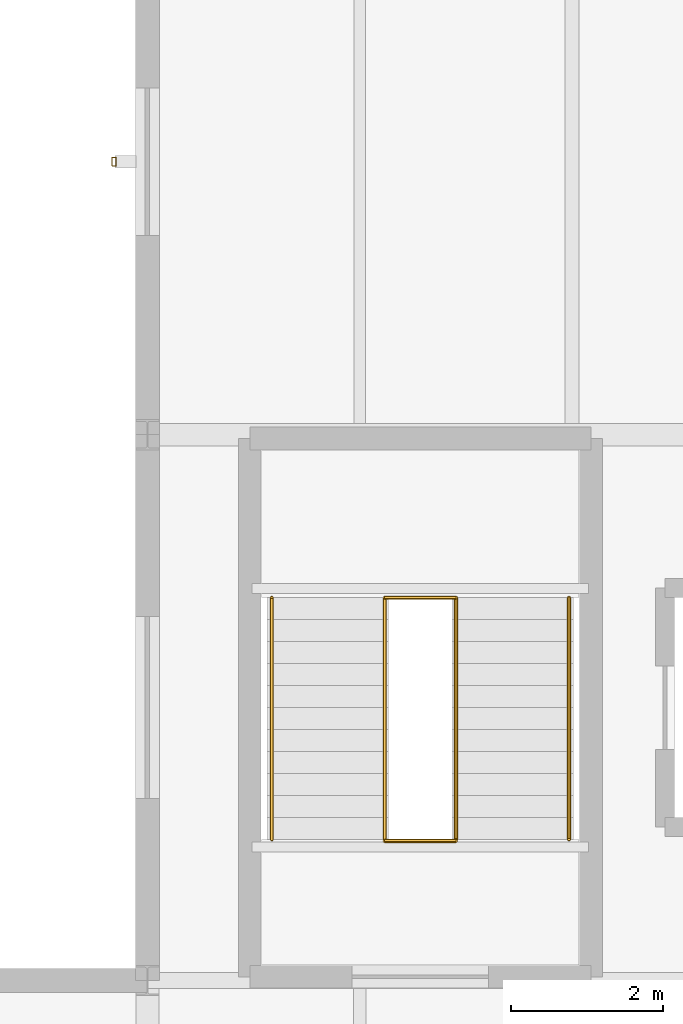
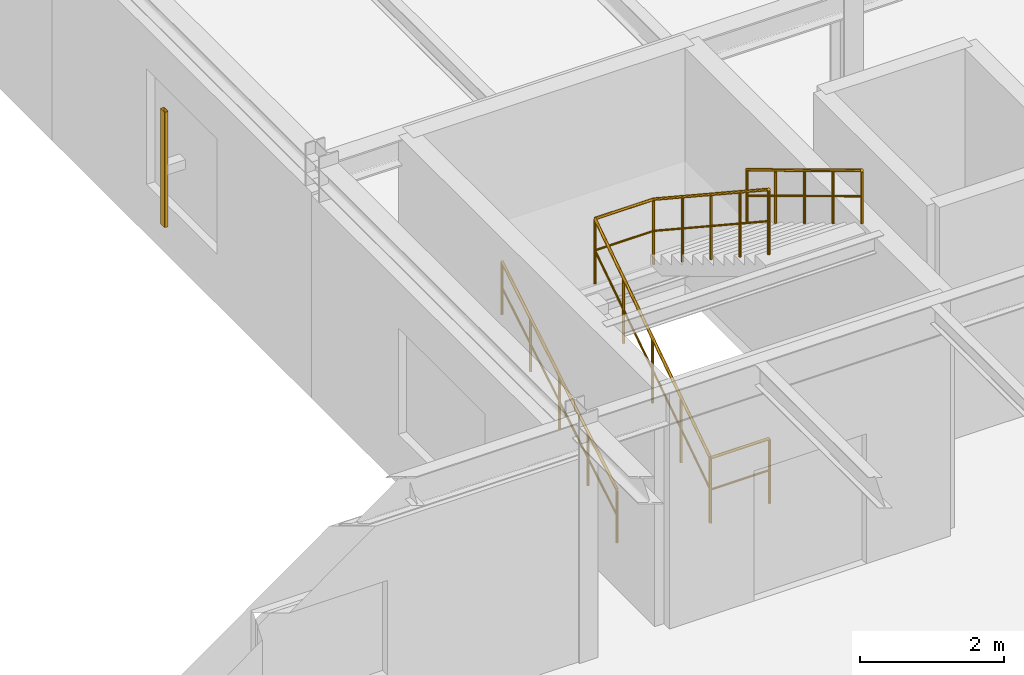
# One storey, part 97 of 109: 6 railings, 1 shading device.
"""IFC4 building model written with IfcOpenShell, lengths in metres."""

from ifc_helpers import new_model, si_unit, derived_unit, direction, frame, origin, origin_2d, place, context, subcontext, project, spatial, hollow_rectangle, circle, extrude, material, material_profile, profile_set, type_object, element, save


model = new_model("IFC4")

# Units and contexts
model_context = context("Model", 3, precision=1e-05, world=origin(), true_north=direction((0.0, 1.0)))
body_context = subcontext(model_context, "Body", "Model", "MODEL_VIEW")
ifc_project = project(units=[si_unit("LENGTHUNIT", "METRE"), si_unit("AREAUNIT", "SQUARE_METRE"), si_unit("VOLUMEUNIT", "CUBIC_METRE"), si_unit("PLANEANGLEUNIT", "RADIAN"), si_unit("MASSUNIT", "GRAM", prefix="KILO"), derived_unit("THERMALTRANSMITTANCEUNIT", [(si_unit("MASSUNIT", "GRAM", prefix="KILO"), 1), (si_unit("TIMEUNIT", "SECOND"), -3), (si_unit("THERMODYNAMICTEMPERATUREUNIT", "KELVIN"), -1)])], contexts=[model_context])

# Site, building, storey
site_placement = place(None, origin())
site = spatial("IfcSite", under=ifc_project, at=site_placement, CompositionType="ELEMENT")
building_placement = place(site_placement, origin())
building = spatial("IfcBuilding", under=site, at=building_placement, Name="Kharveza Railside Sports Centre", CompositionType="ELEMENT")
storey_placement = place(building_placement, frame((0.0, 0.0, 4.5)))
storey = spatial("IfcBuildingStorey", under=building, at=storey_placement, Name="L01", CompositionType="ELEMENT", Elevation=4.5)

# Railings
ifc_material_1 = material(Name="Steel S275JR", Category="steel")
railing_type_1 = type_object("IfcRailingType", Name="RL-GD110", PredefinedType="GUARDRAIL", material=ifc_material_1)
railing_1_placement = place(storey_placement, frame((145.929931640625, 37.840087890625, 0.0)))
element("IfcRailing", 1, at=railing_1_placement, inside=storey, type_object=railing_type_1, Name="RL-STSLOT-ST1-L01", PredefinedType="GUARDRAIL", context=body_context, shape_type="SweptSolid", body=[
    extrude(circle(Radius=0.02392578125, at=origin_2d()), frame((0.0, 0.0, 1.09619140625), z_axis=(1.0, 0.0, 0.0), x_axis=(0.0, 1.0, 0.0)), (0.0, 0.0, 1.0), 0.940185546875),
    extrude(circle(Radius=0.01611328125, at=origin_2d()), frame((0.0, 0.0, 0.56005859375), z_axis=(1.0, 0.0, 0.0), x_axis=(0.0, 1.0, 0.0)), (0.0, 0.0, 1.0), 0.940185546875),
    extrude(circle(Radius=0.02099609375, at=origin_2d()), origin(), (0.0, 0.0, 1.0), 1.072021484375),
    extrude(circle(Radius=0.02099609375, at=origin_2d()), frame((0.940185546875, 0.0, 0.0)), (0.0, 0.0, 1.0), 1.072021484375),
])
railing_2_placement = place(storey_placement, frame((145.929931640625, 37.860107421875, 0.0)))
element("IfcRailing", 2, at=railing_2_placement, inside=storey, type_object=railing_type_1, Name="STR-ST1-L01-GD1", PredefinedType="GUARDRAIL", context=body_context, shape_type="SweptSolid", body=[
    extrude(circle(Radius=0.02392578125, at=origin_2d()), frame((0.0, 0.0, 1.09619140625), z_axis=(0.0, 0.835242474824, 0.549881812983), x_axis=(-1.0, 0.0, 0.0)), (0.0, 0.0, 1.0), 3.819091796875),
    extrude(circle(Radius=0.01611328125, at=origin_2d()), frame((0.0, 0.0, 0.56005859375), z_axis=(0.0, 0.835242474824, 0.549881812983), x_axis=(-1.0, 0.0, 0.0)), (0.0, 0.0, 1.0), 3.819091796875),
    extrude(circle(Radius=0.02099609375, at=origin_2d()), origin(), (0.0, 0.0, 1.0), 1.072021484375),
    extrude(circle(Radius=0.02099609375, at=origin_2d()), frame((0.0, 0.79736328125, 0.52490234375)), (0.0, 0.0, 1.0), 1.072021484375),
    extrude(circle(Radius=0.02099609375, at=origin_2d()), frame((0.0, 1.594970703125, 1.050048828125)), (0.0, 0.0, 1.0), 1.072021484375),
    extrude(circle(Radius=0.02099609375, at=origin_2d()), frame((0.0, 2.392578125, 1.5751953125)), (0.0, 0.0, 1.0), 1.072021484375),
    extrude(circle(Radius=0.02099609375, at=origin_2d()), frame((0.0, 3.18994140625, 2.10009765625)), (0.0, 0.0, 1.0), 1.072021484375),
])
railing_3_placement = place(storey_placement, frame((146.8701171875, 41.050048828125, 2.10009765625)))
element("IfcRailing", 3, at=railing_3_placement, inside=storey, type_object=railing_type_1, Name="STR-ST1-L01-GD2", PredefinedType="GUARDRAIL", context=body_context, shape_type="SweptSolid", body=[
    extrude(circle(Radius=0.02392578125, at=origin_2d()), frame((0.0, 0.0, 1.09619140625), z_axis=(0.0, -0.835271834381, 0.549837214719), x_axis=(1.0, 0.0, 0.0)), (0.0, 0.0, 1.0), 3.819091796875),
    extrude(circle(Radius=0.01611328125, at=origin_2d()), frame((0.0, 0.0, 0.56005859375), z_axis=(0.0, -0.835271834381, 0.549837214719), x_axis=(1.0, 0.0, 0.0)), (0.0, 0.0, 1.0), 3.819091796875),
    extrude(circle(Radius=0.02099609375, at=origin_2d()), origin(), (0.0, 0.0, 1.0), 1.072021484375),
    extrude(circle(Radius=0.02099609375, at=origin_2d()), frame((0.0, -0.79736328125, 0.52490234375)), (0.0, 0.0, 1.0), 1.072021484375),
    extrude(circle(Radius=0.02099609375, at=origin_2d()), frame((0.0, -1.594970703125, 1.0498046875)), (0.0, 0.0, 1.0), 1.072021484375),
    extrude(circle(Radius=0.02099609375, at=origin_2d()), frame((0.0, -2.392578125, 1.574951171875)), (0.0, 0.0, 1.0), 1.072021484375),
    extrude(circle(Radius=0.02099609375, at=origin_2d()), frame((0.0, -3.18994140625, 2.099853515625)), (0.0, 0.0, 1.0), 1.072021484375),
])
railing_4_placement = place(storey_placement, frame((145.929931640625, 41.050048828125, 2.10009765625)))
element("IfcRailing", 4, at=railing_4_placement, inside=storey, type_object=railing_type_1, Name="STR-ST1-L01-GDH", PredefinedType="GUARDRAIL", context=body_context, shape_type="SweptSolid", body=[
    extrude(circle(Radius=0.02392578125, at=origin_2d()), frame((0.0, 0.0, 1.09619140625), z_axis=(1.0, 0.0, 0.0), x_axis=(0.0, 1.0, 0.0)), (0.0, 0.0, 1.0), 0.940185546875),
    extrude(circle(Radius=0.01611328125, at=origin_2d()), frame((0.0, 0.0, 0.56005859375), z_axis=(1.0, 0.0, 0.0), x_axis=(0.0, 1.0, 0.0)), (0.0, 0.0, 1.0), 0.940185546875),
    extrude(circle(Radius=0.02099609375, at=origin_2d()), origin(), (0.0, 0.0, 1.0), 1.072021484375),
    extrude(circle(Radius=0.02099609375, at=origin_2d()), frame((0.940185546875, 0.0, 0.0)), (0.0, 0.0, 1.0), 1.072021484375),
])
railing_type_2 = type_object("IfcRailingType", Name="RL-HR092", PredefinedType="HANDRAIL", material=ifc_material_1)
railing_5_placement = place(storey_placement, frame((144.43994140625, 37.860107421875, 0.175048828125)))
element("IfcRailing", 5, at=railing_5_placement, inside=storey, type_object=railing_type_2, Name="STR-ST1-L01-HR1", PredefinedType="HANDRAIL", context=body_context, shape_type="SweptSolid", body=[
    extrude(circle(Radius=0.02392578125, at=origin_2d()), frame((0.0, 0.0, 0.89599609375), z_axis=(0.0, 0.856177665481, 0.516681531633), x_axis=(-1.0, 0.0, 0.0)), (0.0, 0.0, 1.0), 3.725830078125),
    extrude(circle(Radius=0.01611328125, at=origin_2d()), frame((0.0, 0.0, 0.4599609375), z_axis=(0.0, 0.856177665481, 0.516681531633), x_axis=(-1.0, 0.0, 0.0)), (0.0, 0.0, 1.0), 3.725830078125),
    extrude(circle(Radius=0.02099609375, at=origin_2d()), origin(), (0.0, 0.0, 1.0), 0.871826171875),
    extrude(circle(Radius=0.02099609375, at=origin_2d()), frame((0.0, 0.79736328125, 0.481201171875)), (0.0, 0.0, 1.0), 0.871826171875),
    extrude(circle(Radius=0.02099609375, at=origin_2d()), frame((0.0, 1.594970703125, 0.96240234375)), (0.0, 0.0, 1.0), 0.871826171875),
    extrude(circle(Radius=0.02099609375, at=origin_2d()), frame((0.0, 2.392578125, 1.44384765625)), (0.0, 0.0, 1.0), 0.871826171875),
    extrude(circle(Radius=0.02099609375, at=origin_2d()), frame((0.0, 3.18994140625, 1.925048828125)), (0.0, 0.0, 1.0), 0.871826171875),
])
railing_6_placement = place(storey_placement, frame((148.360107421875, 41.050048828125, 2.27490234375)))
element("IfcRailing", 6, at=railing_6_placement, inside=storey, type_object=railing_type_2, Name="STR-ST1-L01-HR2", PredefinedType="HANDRAIL", context=body_context, shape_type="SweptSolid", body=[
    extrude(circle(Radius=0.02392578125, at=origin_2d()), frame((0.0, 0.0, 0.89599609375), z_axis=(0.0, -0.856177665481, 0.516681531633), x_axis=(1.0, 0.0, 0.0)), (0.0, 0.0, 1.0), 3.725830078125),
    extrude(circle(Radius=0.01611328125, at=origin_2d()), frame((0.0, 0.0, 0.4599609375), z_axis=(0.0, -0.856177665481, 0.516681531633), x_axis=(1.0, 0.0, 0.0)), (0.0, 0.0, 1.0), 3.725830078125),
    extrude(circle(Radius=0.02099609375, at=origin_2d()), origin(), (0.0, 0.0, 1.0), 0.871826171875),
    extrude(circle(Radius=0.02099609375, at=origin_2d()), frame((0.0, -0.79736328125, 0.481201171875)), (0.0, 0.0, 1.0), 0.871826171875),
    extrude(circle(Radius=0.02099609375, at=origin_2d()), frame((0.0, -1.594970703125, 0.96240234375)), (0.0, 0.0, 1.0), 0.871826171875),
    extrude(circle(Radius=0.02099609375, at=origin_2d()), frame((0.0, -2.392578125, 1.44384765625)), (0.0, 0.0, 1.0), 0.871826171875),
    extrude(circle(Radius=0.02099609375, at=origin_2d()), frame((0.0, -3.18994140625, 1.925048828125)), (0.0, 0.0, 1.0), 0.871826171875),
])

# Shading device
ifc_material_2 = material(Name="Anodised aluminium 6063-T6", Category="aluminium")
ifc_material_profile = material_profile(ifc_material_2, hollow_rectangle(XDim=0.06005859375, YDim=0.1201171875, WallThickness=0.0048828125, InnerFilletRadius=0.0048828125, OuterFilletRadius=0.010009765625, at=origin_2d()), Name="RHS 60x120x5.0")
ifc_profile_set = profile_set([ifc_material_profile], Name="Anodised aluminium 6063-T6")
shading_device_type = type_object("IfcShadingDeviceType", Name="SD-LV01", PredefinedType="JALOUSIE", material=ifc_profile_set)
shading_device_placement = place(storey_placement, frame((142.360107421875, 46.800048828125, 0.85009765625), z_axis=(0.0, 0.0, 1.0), x_axis=(-1.0, 0.0, 0.0)))
element("IfcShadingDevice", 7, at=shading_device_placement, inside=storey, type_object=shading_device_type, Name="SD-FIN-064", PredefinedType="JALOUSIE", context=body_context, shape_type="SweptSolid", body=[
    extrude(hollow_rectangle(XDim=0.06005859375, YDim=0.1201171875, WallThickness=0.0048828125, InnerFilletRadius=0.0048828125, OuterFilletRadius=0.010009765625, at=origin_2d()), origin(), (0.0, 0.0, 1.0), 1.949951171875),
])

save(model, "model.ifc")
